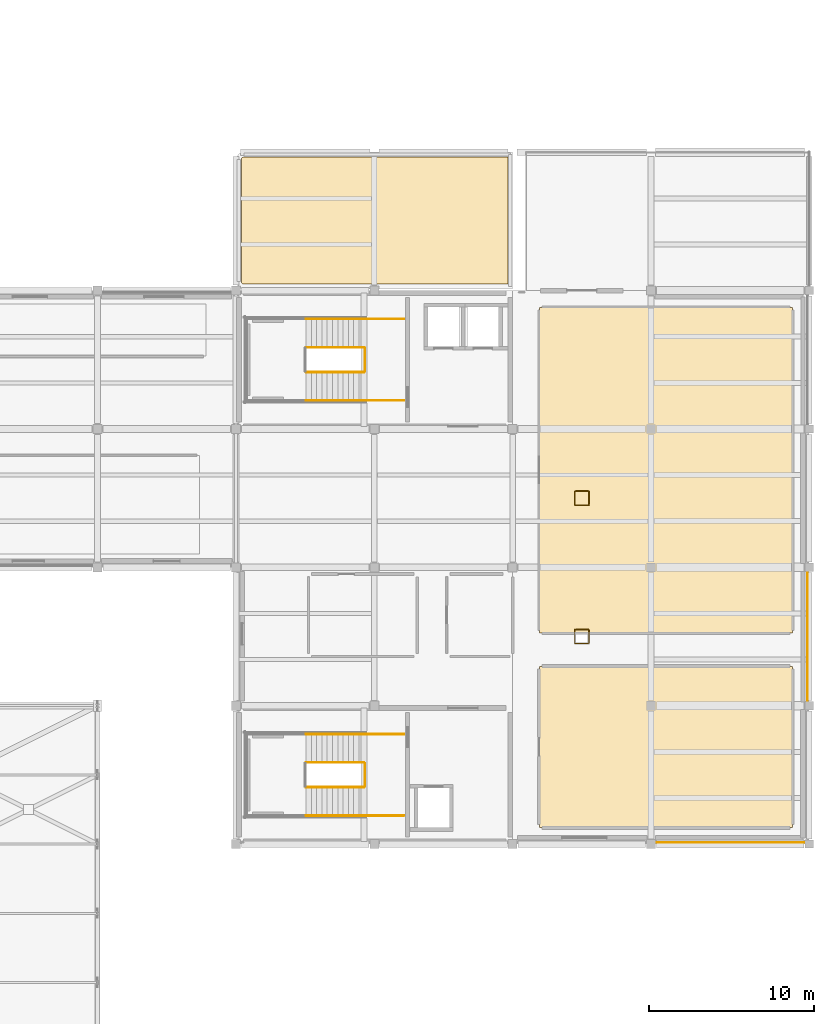
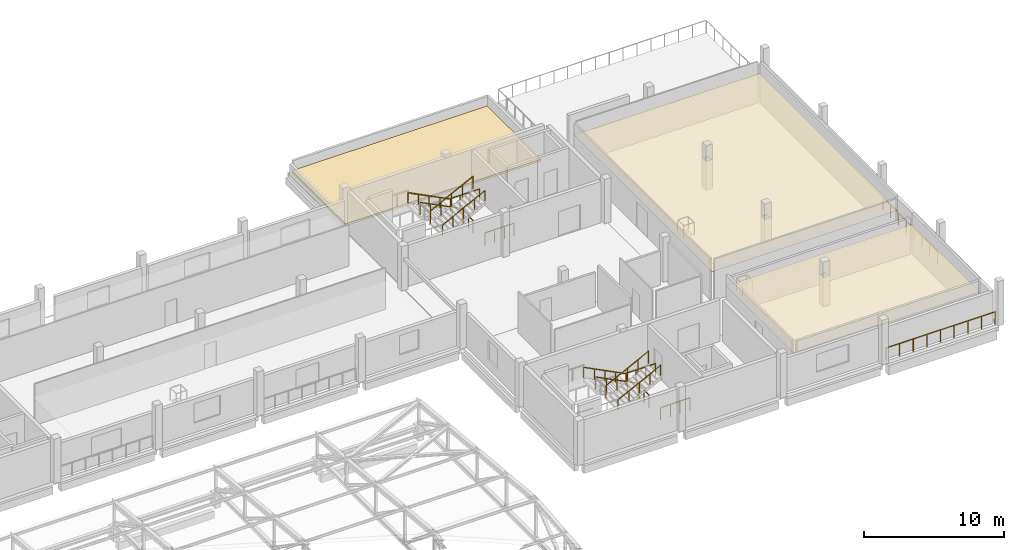
# One storey, part 73 of 74: 18 railings, 3 coverings.
"""IFC4 building model written with IfcOpenShell, lengths in metres."""

from ifc_helpers import new_model, si_unit, derived_unit, direction, frame, origin, origin_2d, place, context, subcontext, project, spatial, polyline, circle, outline, extrude, material, layer, layer_set, type_object, element, save


model = new_model("IFC4")

# Units and contexts
model_context = context("Model", 3, precision=1e-05, world=origin(), true_north=direction((0.0, 1.0)))
body_context = subcontext(model_context, "Body", "Model", "MODEL_VIEW")
ifc_project = project(units=[si_unit("LENGTHUNIT", "METRE"), si_unit("AREAUNIT", "SQUARE_METRE"), si_unit("VOLUMEUNIT", "CUBIC_METRE"), si_unit("PLANEANGLEUNIT", "RADIAN"), si_unit("MASSUNIT", "GRAM", prefix="KILO"), derived_unit("THERMALTRANSMITTANCEUNIT", [(si_unit("POWERUNIT", "WATT"), 1), (si_unit("LENGTHUNIT", "METRE"), -2), (si_unit("THERMODYNAMICTEMPERATUREUNIT", "KELVIN"), -1)])], contexts=[model_context])

# Site, building, storey
site_placement = place(None, origin())
site = spatial("IfcSite", under=ifc_project, at=site_placement, CompositionType="ELEMENT")
building_placement = place(site_placement, origin())
building = spatial("IfcBuilding", under=site, at=building_placement, Name="Elbkamm Science Centre", CompositionType="ELEMENT")
storey_placement = place(building_placement, frame((0.0, 0.0, 14.39990234375)))
storey = spatial("IfcBuildingStorey", under=building, at=storey_placement, Name="L03", CompositionType="ELEMENT", Elevation=14.39990234375)

# Coverings
ifc_material_1 = material(Name="Perforated acoustic mineral fibre ceiling tile")
ifc_layer_1 = layer(ifc_material_1, 0.0400390625)
ifc_layer_set_1 = layer_set([ifc_layer_1], Name="Perforated acoustic mineral fibre ceiling tile")
covering_type_1 = type_object("IfcCoveringType", Name="COV-CEIL-ACOUSTIC-40", PredefinedType="CEILING", material=ifc_layer_set_1)
covering_1_placement = place(storey_placement, frame((0.0, 0.0, 2.47021484375)))
element("IfcCovering", 1, at=covering_1_placement, inside=storey, type_object=covering_type_1, Name="L03 Biodiversity Research Laboratory Acoustic Ceiling", PredefinedType="CEILING", context=body_context, shape_type="SweptSolid", body=[
    extrude(outline(polyline([(144.419921875, 35.97998046875), (159.780029296875, 35.97998046875), (159.780029296875, 26.219970703125), (144.419921875, 26.219970703125), (144.419921875, 35.97998046875)]), holes=[polyline([(151.419921875, 33.820068359375), (150.97998046875, 33.820068359375), (150.97998046875, 33.3798828125), (151.419921875, 33.3798828125), (151.419921875, 33.820068359375)])]), origin(), (0.0, 0.0, 1.0), 0.039794921875),
])
covering_2_placement = place(storey_placement, frame((0.0, 0.0, 2.47021484375)))
element("IfcCovering", 2, at=covering_2_placement, inside=storey, type_object=covering_type_1, Name="L03 Curatorial Conservation Workshop Acoustic Ceiling", PredefinedType="CEILING", context=body_context, shape_type="SweptSolid", body=[
    extrude(outline(polyline([(144.419921875, 57.780029296875), (159.780029296875, 57.780029296875), (159.780029296875, 38.02001953125), (144.419921875, 38.02001953125), (144.419921875, 57.780029296875)]), holes=[polyline([(151.419921875, 41.780029296875), (151.419921875, 42.219970703125), (150.97998046875, 42.219970703125), (150.97998046875, 41.780029296875), (151.419921875, 41.780029296875)]), polyline([(150.97998046875, 50.179931640625), (151.419921875, 50.179931640625), (151.419921875, 50.6201171875), (150.97998046875, 50.6201171875), (150.97998046875, 50.179931640625)])]), origin(), (0.0, 0.0, 1.0), 0.039794921875),
])
ifc_material_2 = material(Name="EPDM waterproof roofing membrane and mineral wool insulation")
ifc_layer_2 = layer(ifc_material_2, 0.179931640625)
ifc_layer_set_2 = layer_set([ifc_layer_2], Name="EPDM waterproof roofing membrane and mineral wool insulation")
covering_type_2 = type_object("IfcCoveringType", Name="COV-ROOFING-180", PredefinedType="ROOFING", material=ifc_layer_set_2)
covering_3_placement = place(storey_placement, origin())
element("IfcCovering", 3, at=covering_3_placement, inside=storey, type_object=covering_type_2, Name="L03 Insulated Roof Membrane Covering 15", PredefinedType="ROOFING", context=body_context, shape_type="SweptSolid", body=[
    extrude(outline(polyline([(126.460205078125, 59.201171875), (126.44580078125, 59.203125), (126.431884765625, 59.206787109375), (126.41748046875, 59.2119140625), (126.404296875, 59.218017578125), (126.391845703125, 59.2255859375), (126.380126953125, 59.234130859375), (126.369140625, 59.244140625), (126.359130859375, 59.255126953125), (126.3505859375, 59.266845703125), (126.343017578125, 59.279296875), (126.3369140625, 59.29248046875), (126.331787109375, 59.306884765625), (126.328125, 59.32080078125), (126.326171875, 59.335205078125), (126.324951171875, 59.357421875), (126.324951171875, 66.742431640625), (126.326171875, 66.764892578125), (126.328125, 66.779296875), (126.331787109375, 66.793212890625), (126.3369140625, 66.807373046875), (126.343017578125, 66.82080078125), (126.3505859375, 66.833251953125), (126.359130859375, 66.844970703125), (126.369140625, 66.855712890625), (126.380126953125, 66.86572265625), (126.391845703125, 66.87451171875), (126.404296875, 66.8818359375), (126.41748046875, 66.88818359375), (126.431884765625, 66.893310546875), (126.44580078125, 66.896728515625), (126.460205078125, 66.89892578125), (126.482421875, 66.89990234375), (142.5, 66.89990234375), (142.5, 59.199951171875), (126.482421875, 59.199951171875), (126.460205078125, 59.201171875)])), origin(), (0.0, 0.0, 1.0), 0.18017578125),
])

# Railings
ifc_material_3 = material(Name="Stainless steel EN 1.4401", Category="steel")
railing_type_1 = type_object("IfcRailingType", Name="RAIL-EXT-GUARD-1100", PredefinedType="GUARDRAIL", material=ifc_material_3)
railing_1_placement = place(storey_placement, frame((160.699951171875, 41.719970703125, 0.0)))
element("IfcRailing", 4, at=railing_1_placement, inside=storey, type_object=railing_type_1, Name="L03 Slab Edge Perimeter Guard 087", PredefinedType="GUARDRAIL", context=body_context, shape_type="SweptSolid", body=[
    extrude(circle(Radius=0.02392578125, at=origin_2d()), frame((0.0, 0.0, 1.078125), z_axis=(0.0, -1.0, 0.0), x_axis=(1.0, 0.0, 0.0)), (0.0, 0.0, 1.0), 7.840087890625),
    extrude(circle(Radius=0.02001953125, at=origin_2d()), origin(), (0.0, 0.0, 1.0), 1.048095703125),
    extrude(circle(Radius=0.02001953125, at=origin_2d()), frame((0.0, -1.1201171875, 0.0)), (0.0, 0.0, 1.0), 1.048095703125),
    extrude(circle(Radius=0.02001953125, at=origin_2d()), frame((0.0, -2.239990234375, 0.0)), (0.0, 0.0, 1.0), 1.048095703125),
    extrude(circle(Radius=0.02001953125, at=origin_2d()), frame((0.0, -3.360107421875, 0.0)), (0.0, 0.0, 1.0), 1.048095703125),
    extrude(circle(Radius=0.02001953125, at=origin_2d()), frame((0.0, -4.47998046875, 0.0)), (0.0, 0.0, 1.0), 1.048095703125),
    extrude(circle(Radius=0.02001953125, at=origin_2d()), frame((0.0, -5.60009765625, 0.0)), (0.0, 0.0, 1.0), 1.048095703125),
    extrude(circle(Radius=0.02001953125, at=origin_2d()), frame((0.0, -6.719970703125, 0.0)), (0.0, 0.0, 1.0), 1.048095703125),
    extrude(circle(Radius=0.02001953125, at=origin_2d()), frame((0.0, -7.840087890625, 0.0)), (0.0, 0.0, 1.0), 1.048095703125),
])
railing_2_placement = place(storey_placement, frame((160.52001953125, 25.300048828125, 0.0)))
element("IfcRailing", 5, at=railing_2_placement, inside=storey, type_object=railing_type_1, Name="L03 Slab Edge Perimeter Guard 088", PredefinedType="GUARDRAIL", context=body_context, shape_type="SweptSolid", body=[
    extrude(circle(Radius=0.02392578125, at=origin_2d()), frame((0.0, 0.0, 1.078125), z_axis=(-1.0, 0.0, 0.0), x_axis=(0.0, -1.0, 0.0)), (0.0, 0.0, 1.0), 9.0400390625),
    extrude(circle(Radius=0.02001953125, at=origin_2d()), origin(), (0.0, 0.0, 1.0), 1.048095703125),
    extrude(circle(Radius=0.02001953125, at=origin_2d()), frame((-1.1298828125, 0.0, 0.0)), (0.0, 0.0, 1.0), 1.048095703125),
    extrude(circle(Radius=0.02001953125, at=origin_2d()), frame((-2.260009765625, 0.0, 0.0)), (0.0, 0.0, 1.0), 1.048095703125),
    extrude(circle(Radius=0.02001953125, at=origin_2d()), frame((-3.39013671875, 0.0, 0.0)), (0.0, 0.0, 1.0), 1.048095703125),
    extrude(circle(Radius=0.02001953125, at=origin_2d()), frame((-4.52001953125, 0.0, 0.0)), (0.0, 0.0, 1.0), 1.048095703125),
    extrude(circle(Radius=0.02001953125, at=origin_2d()), frame((-5.64990234375, 0.0, 0.0)), (0.0, 0.0, 1.0), 1.048095703125),
    extrude(circle(Radius=0.02001953125, at=origin_2d()), frame((-6.780029296875, 0.0, 0.0)), (0.0, 0.0, 1.0), 1.048095703125),
    extrude(circle(Radius=0.02001953125, at=origin_2d()), frame((-7.91015625, 0.0, 0.0)), (0.0, 0.0, 1.0), 1.048095703125),
    extrude(circle(Radius=0.02001953125, at=origin_2d()), frame((-9.0400390625, 0.0, 0.0)), (0.0, 0.0, 1.0), 1.048095703125),
])
railing_type_2 = type_object("IfcRailingType", Name="RAIL-GUARD-1100", PredefinedType="GUARDRAIL", material=ifc_material_3)
railing_3_placement = place(storey_placement, frame((133.780029296875, 55.35009765625, 0.16259765625)))
element("IfcRailing", 6, at=railing_3_placement, inside=storey, type_object=railing_type_2, Name="L03 ST-C3 stair guard 1", PredefinedType="GUARDRAIL", context=body_context, shape_type="SweptSolid", body=[
    extrude(circle(Radius=0.02392578125, at=origin_2d()), frame((0.0, 0.0, 1.078125), z_axis=(-0.891614535321, 0.0, 0.452795230103), x_axis=(0.0, -1.0, 0.0)), (0.0, 0.0, 1.0), 3.947998046875),
    extrude(circle(Radius=0.02001953125, at=origin_2d()), origin(), (0.0, 0.0, 1.0), 1.048095703125),
    extrude(circle(Radius=0.02001953125, at=origin_2d()), frame((-0.8798828125, 0.0, 0.44677734375)), (0.0, 0.0, 1.0), 1.048095703125),
    extrude(circle(Radius=0.02001953125, at=origin_2d()), frame((-1.760009765625, 0.0, 0.893798828125)), (0.0, 0.0, 1.0), 1.048095703125),
    extrude(circle(Radius=0.02001953125, at=origin_2d()), frame((-2.64013671875, 0.0, 1.3408203125)), (0.0, 0.0, 1.0), 1.048095703125),
    extrude(circle(Radius=0.02001953125, at=origin_2d()), frame((-3.52001953125, 0.0, 1.78759765625)), (0.0, 0.0, 1.0), 1.048095703125),
])
railing_4_placement = place(storey_placement, frame((130.260009765625, 53.85009765625, 2.112548828125)))
element("IfcRailing", 7, at=railing_4_placement, inside=storey, type_object=railing_type_2, Name="L03 ST-C3 stair guard 6", PredefinedType="GUARDRAIL", context=body_context, shape_type="SweptSolid", body=[
    extrude(circle(Radius=0.02392578125, at=origin_2d()), frame((0.0, 0.0, 1.078125), z_axis=(0.891614535321, 0.0, 0.452795230103), x_axis=(0.0, 1.0, 0.0)), (0.0, 0.0, 1.0), 3.947998046875),
    extrude(circle(Radius=0.02001953125, at=origin_2d()), origin(), (0.0, 0.0, 1.0), 1.048095703125),
    extrude(circle(Radius=0.02001953125, at=origin_2d()), frame((0.8798828125, 0.0, 0.44677734375)), (0.0, 0.0, 1.0), 1.048095703125),
    extrude(circle(Radius=0.02001953125, at=origin_2d()), frame((1.760009765625, 0.0, 0.893798828125)), (0.0, 0.0, 1.0), 1.048095703125),
    extrude(circle(Radius=0.02001953125, at=origin_2d()), frame((2.64013671875, 0.0, 1.3408203125)), (0.0, 0.0, 1.0), 1.048095703125),
    extrude(circle(Radius=0.02001953125, at=origin_2d()), frame((3.52001953125, 0.0, 1.78759765625)), (0.0, 0.0, 1.0), 1.048095703125),
])
railing_5_placement = place(storey_placement, frame((133.830078125, 55.300048828125, 0.0)))
element("IfcRailing", 8, at=railing_5_placement, inside=storey, type_object=railing_type_2, Name="L03 ST-C3 stair guard 7", PredefinedType="GUARDRAIL", context=body_context, shape_type="SweptSolid", body=[
    extrude(circle(Radius=0.02392578125, at=origin_2d()), frame((0.0, 0.0, 1.078125), z_axis=(0.0, -1.0, 0.0), x_axis=(1.0, 0.0, 0.0)), (0.0, 0.0, 1.0), 1.400146484375),
    extrude(circle(Radius=0.02001953125, at=origin_2d()), origin(), (0.0, 0.0, 1.0), 1.048095703125),
    extrude(circle(Radius=0.02001953125, at=origin_2d()), frame((0.0, -0.7001953125, 0.0)), (0.0, 0.0, 1.0), 1.048095703125),
    extrude(circle(Radius=0.02001953125, at=origin_2d()), frame((0.0, -1.400146484375, 0.0)), (0.0, 0.0, 1.0), 1.048095703125),
])
for number, where, name in (
    (9, (136.199951171875, 57.070068359375, 0.0), "L03 ST-C3 stair guard 8"),
    (10, (136.199951171875, 52.1298828125, 0.0), "L03 ST-C3 stair guard 9"),
):
    element("IfcRailing", number, at=place(storey_placement, frame(where)), inside=storey, type_object=railing_type_2, Name=name, PredefinedType="GUARDRAIL", context=body_context, shape_type="SweptSolid", body=[
        extrude(circle(Radius=0.02392578125, at=origin_2d()), frame((0.0, 0.0, 1.078125), z_axis=(-1.0, 0.0, 0.0), x_axis=(0.0, -1.0, 0.0)), (0.0, 0.0, 1.0), 2.419921875),
        extrude(circle(Radius=0.02001953125, at=origin_2d()), origin(), (0.0, 0.0, 1.0), 1.048095703125),
        extrude(circle(Radius=0.02001953125, at=origin_2d()), frame((-0.806640625, 0.0, 0.0)), (0.0, 0.0, 1.0), 1.048095703125),
        extrude(circle(Radius=0.02001953125, at=origin_2d()), frame((-1.61328125, 0.0, 0.0)), (0.0, 0.0, 1.0), 1.048095703125),
        extrude(circle(Radius=0.02001953125, at=origin_2d()), frame((-2.419921875, 0.0, 0.0)), (0.0, 0.0, 1.0), 1.048095703125),
    ])
railing_6_placement = place(storey_placement, frame((133.780029296875, 30.14990234375, 0.16259765625)))
element("IfcRailing", 11, at=railing_6_placement, inside=storey, type_object=railing_type_2, Name="L03 ST-C4 stair guard 1", PredefinedType="GUARDRAIL", context=body_context, shape_type="SweptSolid", body=[
    extrude(circle(Radius=0.02392578125, at=origin_2d()), frame((0.0, 0.0, 1.078125), z_axis=(-0.891614535321, 0.0, 0.452795230103), x_axis=(0.0, -1.0, 0.0)), (0.0, 0.0, 1.0), 3.947998046875),
    extrude(circle(Radius=0.02001953125, at=origin_2d()), origin(), (0.0, 0.0, 1.0), 1.048095703125),
    extrude(circle(Radius=0.02001953125, at=origin_2d()), frame((-0.8798828125, 0.0, 0.44677734375)), (0.0, 0.0, 1.0), 1.048095703125),
    extrude(circle(Radius=0.02001953125, at=origin_2d()), frame((-1.760009765625, 0.0, 0.893798828125)), (0.0, 0.0, 1.0), 1.048095703125),
    extrude(circle(Radius=0.02001953125, at=origin_2d()), frame((-2.64013671875, 0.0, 1.3408203125)), (0.0, 0.0, 1.0), 1.048095703125),
    extrude(circle(Radius=0.02001953125, at=origin_2d()), frame((-3.52001953125, 0.0, 1.78759765625)), (0.0, 0.0, 1.0), 1.048095703125),
])
railing_7_placement = place(storey_placement, frame((130.260009765625, 28.64990234375, 2.112548828125)))
element("IfcRailing", 12, at=railing_7_placement, inside=storey, type_object=railing_type_2, Name="L03 ST-C4 stair guard 6", PredefinedType="GUARDRAIL", context=body_context, shape_type="SweptSolid", body=[
    extrude(circle(Radius=0.02392578125, at=origin_2d()), frame((0.0, 0.0, 1.078125), z_axis=(0.891614535321, 0.0, 0.452795230103), x_axis=(0.0, 1.0, 0.0)), (0.0, 0.0, 1.0), 3.947998046875),
    extrude(circle(Radius=0.02001953125, at=origin_2d()), origin(), (0.0, 0.0, 1.0), 1.048095703125),
    extrude(circle(Radius=0.02001953125, at=origin_2d()), frame((0.8798828125, 0.0, 0.44677734375)), (0.0, 0.0, 1.0), 1.048095703125),
    extrude(circle(Radius=0.02001953125, at=origin_2d()), frame((1.760009765625, 0.0, 0.893798828125)), (0.0, 0.0, 1.0), 1.048095703125),
    extrude(circle(Radius=0.02001953125, at=origin_2d()), frame((2.64013671875, 0.0, 1.3408203125)), (0.0, 0.0, 1.0), 1.048095703125),
    extrude(circle(Radius=0.02001953125, at=origin_2d()), frame((3.52001953125, 0.0, 1.78759765625)), (0.0, 0.0, 1.0), 1.048095703125),
])
railing_8_placement = place(storey_placement, frame((133.830078125, 30.10009765625, 0.0)))
element("IfcRailing", 13, at=railing_8_placement, inside=storey, type_object=railing_type_2, Name="L03 ST-C4 stair guard 7", PredefinedType="GUARDRAIL", context=body_context, shape_type="SweptSolid", body=[
    extrude(circle(Radius=0.02392578125, at=origin_2d()), frame((0.0, 0.0, 1.078125), z_axis=(0.0, -1.0, 0.0), x_axis=(1.0, 0.0, 0.0)), (0.0, 0.0, 1.0), 1.400146484375),
    extrude(circle(Radius=0.02001953125, at=origin_2d()), origin(), (0.0, 0.0, 1.0), 1.048095703125),
    extrude(circle(Radius=0.02001953125, at=origin_2d()), frame((0.0, -0.7001953125, 0.0)), (0.0, 0.0, 1.0), 1.048095703125),
    extrude(circle(Radius=0.02001953125, at=origin_2d()), frame((0.0, -1.400146484375, 0.0)), (0.0, 0.0, 1.0), 1.048095703125),
])
for number, where, name in (
    (14, (136.199951171875, 31.8701171875, 0.0), "L03 ST-C4 stair guard 8"),
    (15, (136.199951171875, 26.929931640625, 0.0), "L03 ST-C4 stair guard 9"),
):
    element("IfcRailing", number, at=place(storey_placement, frame(where)), inside=storey, type_object=railing_type_2, Name=name, PredefinedType="GUARDRAIL", context=body_context, shape_type="SweptSolid", body=[
        extrude(circle(Radius=0.02392578125, at=origin_2d()), frame((0.0, 0.0, 1.078125), z_axis=(-1.0, 0.0, 0.0), x_axis=(0.0, -1.0, 0.0)), (0.0, 0.0, 1.0), 2.419921875),
        extrude(circle(Radius=0.02001953125, at=origin_2d()), origin(), (0.0, 0.0, 1.0), 1.048095703125),
        extrude(circle(Radius=0.02001953125, at=origin_2d()), frame((-0.806640625, 0.0, 0.0)), (0.0, 0.0, 1.0), 1.048095703125),
        extrude(circle(Radius=0.02001953125, at=origin_2d()), frame((-1.61328125, 0.0, 0.0)), (0.0, 0.0, 1.0), 1.048095703125),
        extrude(circle(Radius=0.02001953125, at=origin_2d()), frame((-2.419921875, 0.0, 0.0)), (0.0, 0.0, 1.0), 1.048095703125),
    ])
for number, where, name in (
    (16, (146.570068359375, 37.3701171875, 0.0), "L03 Service Riser Opening Guardrail 022"),
    (17, (146.570068359375, 45.77001953125, 0.0), "L03 Service Riser Opening Guardrail 023"),
):
    element("IfcRailing", number, at=place(storey_placement, frame(where)), inside=storey, type_object=railing_type_2, Name=name, PredefinedType="GUARDRAIL", context=body_context, shape_type="SweptSolid", body=[
        extrude(circle(Radius=0.02392578125, at=origin_2d()), frame((0.0, 0.0, 1.078125), z_axis=(1.0, 0.0, 0.0), x_axis=(0.0, 1.0, 0.0)), (0.0, 0.0, 1.0), 0.829833984375),
        extrude(circle(Radius=0.02392578125, at=origin_2d()), frame((0.85986328125, 0.030029296875, 1.078125), z_axis=(0.0, 1.0, 0.0), x_axis=(-1.0, 0.0, 0.0)), (0.0, 0.0, 1.0), 0.7998046875),
        extrude(circle(Radius=0.02392578125, at=origin_2d()), frame((0.829833984375, 0.85986328125, 1.078125), z_axis=(-1.0, 0.0, 0.0), x_axis=(0.0, -1.0, 0.0)), (0.0, 0.0, 1.0), 0.7998046875),
        extrude(circle(Radius=0.02392578125, at=origin_2d()), frame((0.0, 0.829833984375, 1.078125), z_axis=(0.0, -1.0, 0.0), x_axis=(1.0, 0.0, 0.0)), (0.0, 0.0, 1.0), 0.829833984375),
        extrude(circle(Radius=0.02001953125, at=origin_2d()), origin(), (0.0, 0.0, 1.0), 1.048095703125),
        extrude(circle(Radius=0.02001953125, at=origin_2d()), frame((0.85986328125, 0.0, 0.0)), (0.0, 0.0, 1.0), 1.048095703125),
        extrude(circle(Radius=0.02001953125, at=origin_2d()), frame((0.85986328125, 0.85986328125, 0.0)), (0.0, 0.0, 1.0), 1.048095703125),
        extrude(circle(Radius=0.02001953125, at=origin_2d()), frame((0.0, 0.85986328125, 0.0)), (0.0, 0.0, 1.0), 1.048095703125),
    ])
railing_type_3 = type_object("IfcRailingType", Name="RAIL-HAND-900", PredefinedType="HANDRAIL", material=ifc_material_3)
railing_9_placement = place(storey_placement, frame((133.780029296875, 57.070068359375, 0.16259765625)))
element("IfcRailing", 18, at=railing_9_placement, inside=storey, type_object=railing_type_3, Name="L03 ST-C3 stair handrail 1", PredefinedType="HANDRAIL", context=body_context, shape_type="SweptSolid", body=[
    extrude(circle(Radius=0.02392578125, at=origin_2d()), frame((0.0, 0.0, 0.8779296875), z_axis=(-0.891614535321, 0.0, 0.452795230103), x_axis=(0.0, -1.0, 0.0)), (0.0, 0.0, 1.0), 3.947998046875),
    extrude(circle(Radius=0.02001953125, at=origin_2d()), origin(), (0.0, 0.0, 1.0), 0.847900390625),
    extrude(circle(Radius=0.02001953125, at=origin_2d()), frame((-0.8798828125, 0.0, 0.44677734375)), (0.0, 0.0, 1.0), 0.847900390625),
    extrude(circle(Radius=0.02001953125, at=origin_2d()), frame((-1.760009765625, 0.0, 0.893798828125)), (0.0, 0.0, 1.0), 0.847900390625),
    extrude(circle(Radius=0.02001953125, at=origin_2d()), frame((-2.64013671875, 0.0, 1.3408203125)), (0.0, 0.0, 1.0), 0.847900390625),
    extrude(circle(Radius=0.02001953125, at=origin_2d()), frame((-3.52001953125, 0.0, 1.78759765625)), (0.0, 0.0, 1.0), 0.847900390625),
])
railing_10_placement = place(storey_placement, frame((130.260009765625, 52.1298828125, 2.112548828125)))
element("IfcRailing", 19, at=railing_10_placement, inside=storey, type_object=railing_type_3, Name="L03 ST-C3 stair handrail 2", PredefinedType="HANDRAIL", context=body_context, shape_type="SweptSolid", body=[
    extrude(circle(Radius=0.02392578125, at=origin_2d()), frame((0.0, 0.0, 0.8779296875), z_axis=(0.891614535321, 0.0, 0.452795230103), x_axis=(0.0, 1.0, 0.0)), (0.0, 0.0, 1.0), 3.947998046875),
    extrude(circle(Radius=0.02001953125, at=origin_2d()), origin(), (0.0, 0.0, 1.0), 0.847900390625),
    extrude(circle(Radius=0.02001953125, at=origin_2d()), frame((0.8798828125, 0.0, 0.44677734375)), (0.0, 0.0, 1.0), 0.847900390625),
    extrude(circle(Radius=0.02001953125, at=origin_2d()), frame((1.760009765625, 0.0, 0.893798828125)), (0.0, 0.0, 1.0), 0.847900390625),
    extrude(circle(Radius=0.02001953125, at=origin_2d()), frame((2.64013671875, 0.0, 1.3408203125)), (0.0, 0.0, 1.0), 0.847900390625),
    extrude(circle(Radius=0.02001953125, at=origin_2d()), frame((3.52001953125, 0.0, 1.78759765625)), (0.0, 0.0, 1.0), 0.847900390625),
])
railing_11_placement = place(storey_placement, frame((133.780029296875, 31.8701171875, 0.16259765625)))
element("IfcRailing", 20, at=railing_11_placement, inside=storey, type_object=railing_type_3, Name="L03 ST-C4 stair handrail 1", PredefinedType="HANDRAIL", context=body_context, shape_type="SweptSolid", body=[
    extrude(circle(Radius=0.02392578125, at=origin_2d()), frame((0.0, 0.0, 0.8779296875), z_axis=(-0.891614535321, 0.0, 0.452795230103), x_axis=(0.0, -1.0, 0.0)), (0.0, 0.0, 1.0), 3.947998046875),
    extrude(circle(Radius=0.02001953125, at=origin_2d()), origin(), (0.0, 0.0, 1.0), 0.847900390625),
    extrude(circle(Radius=0.02001953125, at=origin_2d()), frame((-0.8798828125, 0.0, 0.44677734375)), (0.0, 0.0, 1.0), 0.847900390625),
    extrude(circle(Radius=0.02001953125, at=origin_2d()), frame((-1.760009765625, 0.0, 0.893798828125)), (0.0, 0.0, 1.0), 0.847900390625),
    extrude(circle(Radius=0.02001953125, at=origin_2d()), frame((-2.64013671875, 0.0, 1.3408203125)), (0.0, 0.0, 1.0), 0.847900390625),
    extrude(circle(Radius=0.02001953125, at=origin_2d()), frame((-3.52001953125, 0.0, 1.78759765625)), (0.0, 0.0, 1.0), 0.847900390625),
])
railing_12_placement = place(storey_placement, frame((130.260009765625, 26.929931640625, 2.112548828125)))
element("IfcRailing", 21, at=railing_12_placement, inside=storey, type_object=railing_type_3, Name="L03 ST-C4 stair handrail 2", PredefinedType="HANDRAIL", context=body_context, shape_type="SweptSolid", body=[
    extrude(circle(Radius=0.02392578125, at=origin_2d()), frame((0.0, 0.0, 0.8779296875), z_axis=(0.891614535321, 0.0, 0.452795230103), x_axis=(0.0, 1.0, 0.0)), (0.0, 0.0, 1.0), 3.947998046875),
    extrude(circle(Radius=0.02001953125, at=origin_2d()), origin(), (0.0, 0.0, 1.0), 0.847900390625),
    extrude(circle(Radius=0.02001953125, at=origin_2d()), frame((0.8798828125, 0.0, 0.44677734375)), (0.0, 0.0, 1.0), 0.847900390625),
    extrude(circle(Radius=0.02001953125, at=origin_2d()), frame((1.760009765625, 0.0, 0.893798828125)), (0.0, 0.0, 1.0), 0.847900390625),
    extrude(circle(Radius=0.02001953125, at=origin_2d()), frame((2.64013671875, 0.0, 1.3408203125)), (0.0, 0.0, 1.0), 0.847900390625),
    extrude(circle(Radius=0.02001953125, at=origin_2d()), frame((3.52001953125, 0.0, 1.78759765625)), (0.0, 0.0, 1.0), 0.847900390625),
])

save(model, "model.ifc")
